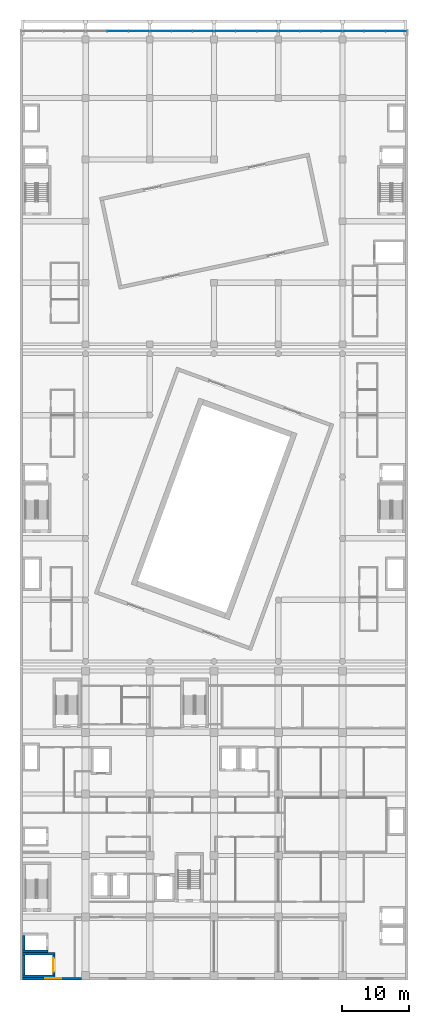
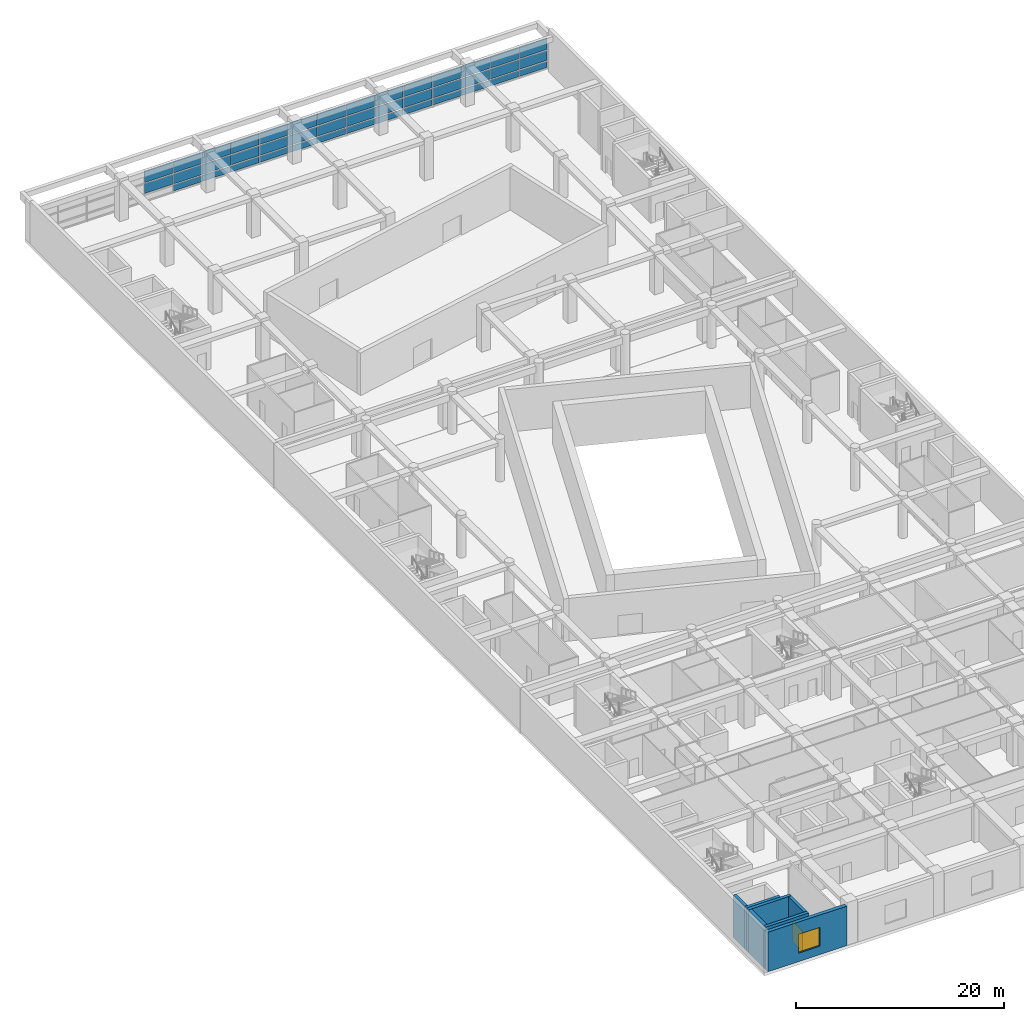
# One storey, part 8 of 31: 41 plates, 7 walls, 1 door, 1 window, 2 openings, 1 element without a shape of its own.
"""IFC4 building model written with IfcOpenShell, lengths in metres."""

from ifc_helpers import new_model, si_unit, direction, frame, frame_2d, origin, origin_2d, place, context, subcontext, project, spatial, rectangle, extrude, material, layer, layer_set, layer_usage, type_object, element, fill, aggregate, save


model = new_model("IFC4")

# Units and contexts
model_context = context("Model", 3, precision=1e-05, world=origin(), true_north=direction((0.0, 1.0)))
body_context = subcontext(model_context, "Body", "Model", "MODEL_VIEW")
ifc_project = project(units=[si_unit("LENGTHUNIT", "METRE"), si_unit("AREAUNIT", "SQUARE_METRE"), si_unit("VOLUMEUNIT", "CUBIC_METRE"), si_unit("PLANEANGLEUNIT", "RADIAN"), si_unit("MASSUNIT", "GRAM", prefix="KILO")], contexts=[model_context])

# Site, building, storey
site_placement = place(None, origin())
site = spatial("IfcSite", under=ifc_project, at=site_placement, CompositionType="ELEMENT")
building_placement = place(site_placement, origin())
building = spatial("IfcBuilding", under=site, at=building_placement, Name="Nzadi Deep Aquarium and Research Tower", CompositionType="ELEMENT")
storey_placement = place(building_placement, frame((0.0, 0.0, 21.699951171875)))
storey = spatial("IfcBuildingStorey", under=building, at=storey_placement, Name="L03", CompositionType="ELEMENT", Elevation=21.699951171875)

# Curtain wall, plates
ifc_material_1 = material(Name="Aluminium unitised frame tall span", Category="aluminium")
ifc_layer_1 = layer(ifc_material_1, 0.35009765625)
ifc_layer_set_1 = layer_set([ifc_layer_1], Name="Aluminium unitised frame tall span")
curtain_wall_type = type_object("IfcCurtainWallType", Name="Curtain wall Podium 350", PredefinedType="NOTDEFINED", material=ifc_layer_set_1)
curtain_wall_placement = place(storey_placement, origin())
curtain_wall = element("IfcCurtainWall", 1, at=curtain_wall_placement, inside=storey, type_object=curtain_wall_type, Name="North cascade curtain wall L03", PredefinedType="NOTDEFINED")
ifc_material_2 = material(Name="Glass, clear low-iron", Category="glass")
ifc_layer_2 = layer(ifc_material_2, 0.0400390625)
ifc_layer_set_2 = layer_set([ifc_layer_2], Name="Glass, clear low-iron")
plate_type_1 = type_object("IfcPlateType", Name="Glazing panel 40 Podium", PredefinedType="CURTAIN_PANEL", material=ifc_layer_set_2)
plate_1_placement = place(storey_placement, frame((52.800048828125, 141.574951171875, 0.97021484375), z_axis=(0.0, 0.0, 1.0), x_axis=(1.0, 0.0, 0.0)))
plate_1 = element("IfcPlate", 2, at=plate_1_placement, type_object=plate_type_1, Name="CW255 panel 17.2", PredefinedType="CURTAIN_PANEL", context=body_context, shape_type="SweptSolid", body=[
    extrude(rectangle(XDim=3.139892578125, YDim=0.0400390625, at=origin_2d()), origin(), (0.0, 0.0, 1.0), 1.135009765625),
])
plate_2_placement = place(storey_placement, frame((52.800048828125, 141.574951171875, 2.2451171875), z_axis=(0.0, 0.0, 1.0), x_axis=(1.0, 0.0, 0.0)))
plate_2 = element("IfcPlate", 3, at=plate_2_placement, type_object=plate_type_1, Name="CW255 panel 17.3", PredefinedType="CURTAIN_PANEL", context=body_context, shape_type="SweptSolid", body=[
    extrude(rectangle(XDim=3.139892578125, YDim=0.0400390625, at=origin_2d()), origin(), (0.0, 0.0, 1.0), 1.364990234375),
])
plate_3_placement = place(storey_placement, frame((55.985107421875, 141.574951171875, 0.97021484375), z_axis=(0.0, 0.0, 1.0), x_axis=(1.0, 0.0, 0.0)))
plate_3 = element("IfcPlate", 4, at=plate_3_placement, type_object=plate_type_1, Name="CW255 panel 18.2", PredefinedType="CURTAIN_PANEL", context=body_context, shape_type="SweptSolid", body=[
    extrude(rectangle(XDim=3.110107421875, YDim=0.0400390625, at=origin_2d()), origin(), (0.0, 0.0, 1.0), 1.135009765625),
])
plate_4_placement = place(storey_placement, frame((55.985107421875, 141.574951171875, 2.2451171875), z_axis=(0.0, 0.0, 1.0), x_axis=(1.0, 0.0, 0.0)))
plate_4 = element("IfcPlate", 5, at=plate_4_placement, type_object=plate_type_1, Name="CW255 panel 18.3", PredefinedType="CURTAIN_PANEL", context=body_context, shape_type="SweptSolid", body=[
    extrude(rectangle(XDim=3.110107421875, YDim=0.0400390625, at=origin_2d()), origin(), (0.0, 0.0, 1.0), 1.364990234375),
])
ifc_material_3 = material(Name="Glass, deep ocean tint", Category="glass")
ifc_layer_3 = layer(ifc_material_3, 0.0400390625)
ifc_layer_set_3 = layer_set([ifc_layer_3], Name="Glass, deep ocean tint")
plate_type_2 = type_object("IfcPlateType", Name="Glazing panel 40 Podium water-tinted", PredefinedType="CURTAIN_PANEL", material=ifc_layer_set_3)
plate_5_placement = place(storey_placement, frame((14.39990234375, 141.574951171875, 0.97021484375), z_axis=(0.0, 0.0, 1.0), x_axis=(1.0, 0.0, 0.0)))
plate_5 = element("IfcPlate", 6, at=plate_5_placement, type_object=plate_type_2, Name="CW255 panel 5.2", PredefinedType="CURTAIN_PANEL", context=body_context, shape_type="SweptSolid", body=[
    extrude(rectangle(XDim=3.139892578125, YDim=0.0400390625, at=origin_2d()), origin(), (0.0, 0.0, 1.0), 1.135009765625),
])
plate_6_placement = place(storey_placement, frame((14.39990234375, 141.574951171875, 2.2451171875), z_axis=(0.0, 0.0, 1.0), x_axis=(1.0, 0.0, 0.0)))
plate_6 = element("IfcPlate", 7, at=plate_6_placement, type_object=plate_type_2, Name="CW255 panel 5.3", PredefinedType="CURTAIN_PANEL", context=body_context, shape_type="SweptSolid", body=[
    extrude(rectangle(XDim=3.139892578125, YDim=0.0400390625, at=origin_2d()), origin(), (0.0, 0.0, 1.0), 1.364990234375),
])
plate_7_placement = place(storey_placement, frame((17.60009765625, 141.574951171875, 0.97021484375), z_axis=(0.0, 0.0, 1.0), x_axis=(1.0, 0.0, 0.0)))
plate_7 = element("IfcPlate", 8, at=plate_7_placement, type_object=plate_type_2, Name="CW255 panel 6.2", PredefinedType="CURTAIN_PANEL", context=body_context, shape_type="SweptSolid", body=[
    extrude(rectangle(XDim=3.139892578125, YDim=0.0400390625, at=origin_2d()), origin(), (0.0, 0.0, 1.0), 1.135009765625),
])
plate_8_placement = place(storey_placement, frame((17.60009765625, 141.574951171875, 2.2451171875), z_axis=(0.0, 0.0, 1.0), x_axis=(1.0, 0.0, 0.0)))
plate_8 = element("IfcPlate", 9, at=plate_8_placement, type_object=plate_type_2, Name="CW255 panel 6.3", PredefinedType="CURTAIN_PANEL", context=body_context, shape_type="SweptSolid", body=[
    extrude(rectangle(XDim=3.139892578125, YDim=0.0400390625, at=origin_2d()), origin(), (0.0, 0.0, 1.0), 1.364990234375),
])
plate_9_placement = place(storey_placement, frame((20.800048828125, 141.574951171875, 0.97021484375), z_axis=(0.0, 0.0, 1.0), x_axis=(1.0, 0.0, 0.0)))
plate_9 = element("IfcPlate", 10, at=plate_9_placement, type_object=plate_type_2, Name="CW255 panel 7.2", PredefinedType="CURTAIN_PANEL", context=body_context, shape_type="SweptSolid", body=[
    extrude(rectangle(XDim=3.139892578125, YDim=0.0400390625, at=origin_2d()), origin(), (0.0, 0.0, 1.0), 1.135009765625),
])
plate_10_placement = place(storey_placement, frame((20.800048828125, 141.574951171875, 2.2451171875), z_axis=(0.0, 0.0, 1.0), x_axis=(1.0, 0.0, 0.0)))
plate_10 = element("IfcPlate", 11, at=plate_10_placement, type_object=plate_type_2, Name="CW255 panel 7.3", PredefinedType="CURTAIN_PANEL", context=body_context, shape_type="SweptSolid", body=[
    extrude(rectangle(XDim=3.139892578125, YDim=0.0400390625, at=origin_2d()), origin(), (0.0, 0.0, 1.0), 1.364990234375),
])
plate_11_placement = place(storey_placement, frame((24.0, 141.574951171875, 0.97021484375), z_axis=(0.0, 0.0, 1.0), x_axis=(1.0, 0.0, 0.0)))
plate_11 = element("IfcPlate", 12, at=plate_11_placement, type_object=plate_type_2, Name="CW255 panel 8.2", PredefinedType="CURTAIN_PANEL", context=body_context, shape_type="SweptSolid", body=[
    extrude(rectangle(XDim=3.139892578125, YDim=0.0400390625, at=origin_2d()), origin(), (0.0, 0.0, 1.0), 1.135009765625),
])
plate_12_placement = place(storey_placement, frame((24.0, 141.574951171875, 2.2451171875), z_axis=(0.0, 0.0, 1.0), x_axis=(1.0, 0.0, 0.0)))
plate_12 = element("IfcPlate", 13, at=plate_12_placement, type_object=plate_type_2, Name="CW255 panel 8.3", PredefinedType="CURTAIN_PANEL", context=body_context, shape_type="SweptSolid", body=[
    extrude(rectangle(XDim=3.139892578125, YDim=0.0400390625, at=origin_2d()), origin(), (0.0, 0.0, 1.0), 1.364990234375),
])
plate_13_placement = place(storey_placement, frame((27.199951171875, 141.574951171875, 0.97021484375), z_axis=(0.0, 0.0, 1.0), x_axis=(1.0, 0.0, 0.0)))
plate_13 = element("IfcPlate", 14, at=plate_13_placement, type_object=plate_type_2, Name="CW255 panel 9.2", PredefinedType="CURTAIN_PANEL", context=body_context, shape_type="SweptSolid", body=[
    extrude(rectangle(XDim=3.139892578125, YDim=0.0400390625, at=origin_2d()), origin(), (0.0, 0.0, 1.0), 1.135009765625),
])
plate_14_placement = place(storey_placement, frame((27.199951171875, 141.574951171875, 2.2451171875), z_axis=(0.0, 0.0, 1.0), x_axis=(1.0, 0.0, 0.0)))
plate_14 = element("IfcPlate", 15, at=plate_14_placement, type_object=plate_type_2, Name="CW255 panel 9.3", PredefinedType="CURTAIN_PANEL", context=body_context, shape_type="SweptSolid", body=[
    extrude(rectangle(XDim=3.139892578125, YDim=0.0400390625, at=origin_2d()), origin(), (0.0, 0.0, 1.0), 1.364990234375),
])
plate_15_placement = place(storey_placement, frame((30.39990234375, 141.574951171875, 0.97021484375), z_axis=(0.0, 0.0, 1.0), x_axis=(1.0, 0.0, 0.0)))
plate_15 = element("IfcPlate", 16, at=plate_15_placement, type_object=plate_type_2, Name="CW255 panel 10.2", PredefinedType="CURTAIN_PANEL", context=body_context, shape_type="SweptSolid", body=[
    extrude(rectangle(XDim=3.139892578125, YDim=0.0400390625, at=origin_2d()), origin(), (0.0, 0.0, 1.0), 1.135009765625),
])
plate_16_placement = place(storey_placement, frame((30.39990234375, 141.574951171875, 2.2451171875), z_axis=(0.0, 0.0, 1.0), x_axis=(1.0, 0.0, 0.0)))
plate_16 = element("IfcPlate", 17, at=plate_16_placement, type_object=plate_type_2, Name="CW255 panel 10.3", PredefinedType="CURTAIN_PANEL", context=body_context, shape_type="SweptSolid", body=[
    extrude(rectangle(XDim=3.139892578125, YDim=0.0400390625, at=origin_2d()), origin(), (0.0, 0.0, 1.0), 1.364990234375),
])
plate_17_placement = place(storey_placement, frame((33.60009765625, 141.574951171875, 0.97021484375), z_axis=(0.0, 0.0, 1.0), x_axis=(1.0, 0.0, 0.0)))
plate_17 = element("IfcPlate", 18, at=plate_17_placement, type_object=plate_type_2, Name="CW255 panel 11.2", PredefinedType="CURTAIN_PANEL", context=body_context, shape_type="SweptSolid", body=[
    extrude(rectangle(XDim=3.139892578125, YDim=0.0400390625, at=origin_2d()), origin(), (0.0, 0.0, 1.0), 1.135009765625),
])
plate_18_placement = place(storey_placement, frame((33.60009765625, 141.574951171875, 2.2451171875), z_axis=(0.0, 0.0, 1.0), x_axis=(1.0, 0.0, 0.0)))
plate_18 = element("IfcPlate", 19, at=plate_18_placement, type_object=plate_type_2, Name="CW255 panel 11.3", PredefinedType="CURTAIN_PANEL", context=body_context, shape_type="SweptSolid", body=[
    extrude(rectangle(XDim=3.139892578125, YDim=0.0400390625, at=origin_2d()), origin(), (0.0, 0.0, 1.0), 1.364990234375),
])
plate_19_placement = place(storey_placement, frame((36.800048828125, 141.574951171875, 0.97021484375), z_axis=(0.0, 0.0, 1.0), x_axis=(1.0, 0.0, 0.0)))
plate_19 = element("IfcPlate", 20, at=plate_19_placement, type_object=plate_type_2, Name="CW255 panel 12.2", PredefinedType="CURTAIN_PANEL", context=body_context, shape_type="SweptSolid", body=[
    extrude(rectangle(XDim=3.139892578125, YDim=0.0400390625, at=origin_2d()), origin(), (0.0, 0.0, 1.0), 1.135009765625),
])
plate_20_placement = place(storey_placement, frame((36.800048828125, 141.574951171875, 2.2451171875), z_axis=(0.0, 0.0, 1.0), x_axis=(1.0, 0.0, 0.0)))
plate_20 = element("IfcPlate", 21, at=plate_20_placement, type_object=plate_type_2, Name="CW255 panel 12.3", PredefinedType="CURTAIN_PANEL", context=body_context, shape_type="SweptSolid", body=[
    extrude(rectangle(XDim=3.139892578125, YDim=0.0400390625, at=origin_2d()), origin(), (0.0, 0.0, 1.0), 1.364990234375),
])
plate_21_placement = place(storey_placement, frame((40.0, 141.574951171875, 0.97021484375), z_axis=(0.0, 0.0, 1.0), x_axis=(1.0, 0.0, 0.0)))
plate_21 = element("IfcPlate", 22, at=plate_21_placement, type_object=plate_type_2, Name="CW255 panel 13.2", PredefinedType="CURTAIN_PANEL", context=body_context, shape_type="SweptSolid", body=[
    extrude(rectangle(XDim=3.139892578125, YDim=0.0400390625, at=origin_2d()), origin(), (0.0, 0.0, 1.0), 1.135009765625),
])
plate_22_placement = place(storey_placement, frame((40.0, 141.574951171875, 2.2451171875), z_axis=(0.0, 0.0, 1.0), x_axis=(1.0, 0.0, 0.0)))
plate_22 = element("IfcPlate", 23, at=plate_22_placement, type_object=plate_type_2, Name="CW255 panel 13.3", PredefinedType="CURTAIN_PANEL", context=body_context, shape_type="SweptSolid", body=[
    extrude(rectangle(XDim=3.139892578125, YDim=0.0400390625, at=origin_2d()), origin(), (0.0, 0.0, 1.0), 1.364990234375),
])
plate_23_placement = place(storey_placement, frame((43.199951171875, 141.574951171875, 0.97021484375), z_axis=(0.0, 0.0, 1.0), x_axis=(1.0, 0.0, 0.0)))
plate_23 = element("IfcPlate", 24, at=plate_23_placement, type_object=plate_type_2, Name="CW255 panel 14.2", PredefinedType="CURTAIN_PANEL", context=body_context, shape_type="SweptSolid", body=[
    extrude(rectangle(XDim=3.139892578125, YDim=0.0400390625, at=origin_2d()), origin(), (0.0, 0.0, 1.0), 1.135009765625),
])
plate_24_placement = place(storey_placement, frame((43.199951171875, 141.574951171875, 2.2451171875), z_axis=(0.0, 0.0, 1.0), x_axis=(1.0, 0.0, 0.0)))
plate_24 = element("IfcPlate", 25, at=plate_24_placement, type_object=plate_type_2, Name="CW255 panel 14.3", PredefinedType="CURTAIN_PANEL", context=body_context, shape_type="SweptSolid", body=[
    extrude(rectangle(XDim=3.139892578125, YDim=0.0400390625, at=origin_2d()), origin(), (0.0, 0.0, 1.0), 1.364990234375),
])
plate_25_placement = place(storey_placement, frame((46.39990234375, 141.574951171875, 0.97021484375), z_axis=(0.0, 0.0, 1.0), x_axis=(1.0, 0.0, 0.0)))
plate_25 = element("IfcPlate", 26, at=plate_25_placement, type_object=plate_type_2, Name="CW255 panel 15.2", PredefinedType="CURTAIN_PANEL", context=body_context, shape_type="SweptSolid", body=[
    extrude(rectangle(XDim=3.139892578125, YDim=0.0400390625, at=origin_2d()), origin(), (0.0, 0.0, 1.0), 1.135009765625),
])
plate_26_placement = place(storey_placement, frame((46.39990234375, 141.574951171875, 2.2451171875), z_axis=(0.0, 0.0, 1.0), x_axis=(1.0, 0.0, 0.0)))
plate_26 = element("IfcPlate", 27, at=plate_26_placement, type_object=plate_type_2, Name="CW255 panel 15.3", PredefinedType="CURTAIN_PANEL", context=body_context, shape_type="SweptSolid", body=[
    extrude(rectangle(XDim=3.139892578125, YDim=0.0400390625, at=origin_2d()), origin(), (0.0, 0.0, 1.0), 1.364990234375),
])
plate_27_placement = place(storey_placement, frame((49.60009765625, 141.574951171875, 0.97021484375), z_axis=(0.0, 0.0, 1.0), x_axis=(1.0, 0.0, 0.0)))
plate_27 = element("IfcPlate", 28, at=plate_27_placement, type_object=plate_type_2, Name="CW255 panel 16.2", PredefinedType="CURTAIN_PANEL", context=body_context, shape_type="SweptSolid", body=[
    extrude(rectangle(XDim=3.139892578125, YDim=0.0400390625, at=origin_2d()), origin(), (0.0, 0.0, 1.0), 1.135009765625),
])
plate_28_placement = place(storey_placement, frame((49.60009765625, 141.574951171875, 2.2451171875), z_axis=(0.0, 0.0, 1.0), x_axis=(1.0, 0.0, 0.0)))
plate_28 = element("IfcPlate", 29, at=plate_28_placement, type_object=plate_type_2, Name="CW255 panel 16.3", PredefinedType="CURTAIN_PANEL", context=body_context, shape_type="SweptSolid", body=[
    extrude(rectangle(XDim=3.139892578125, YDim=0.0400390625, at=origin_2d()), origin(), (0.0, 0.0, 1.0), 1.364990234375),
])
ifc_material_4 = material(Name="Glass spandrel, enamelled", Category="glass")
ifc_layer_4 = layer(ifc_material_4, 0.0400390625)
ifc_layer_set_4 = layer_set([ifc_layer_4], Name="Glass spandrel, enamelled")
plate_type_3 = type_object("IfcPlateType", Name="Spandrel panel 40 Podium", PredefinedType="CURTAIN_PANEL", material=ifc_layer_set_4)
plate_29_placement = place(storey_placement, frame((17.60009765625, 141.574951171875, 0.14013671875), z_axis=(0.0, 0.0, 1.0), x_axis=(1.0, 0.0, 0.0)))
plate_29 = element("IfcPlate", 30, at=plate_29_placement, type_object=plate_type_3, Name="CW255 panel 6.1", PredefinedType="CURTAIN_PANEL", context=body_context, shape_type="SweptSolid", body=[
    extrude(rectangle(XDim=3.139892578125, YDim=0.0400390625, at=origin_2d()), origin(), (0.0, 0.0, 1.0), 0.68994140625),
])
plate_30_placement = place(storey_placement, frame((20.800048828125, 141.574951171875, 0.14013671875), z_axis=(0.0, 0.0, 1.0), x_axis=(1.0, 0.0, 0.0)))
plate_30 = element("IfcPlate", 31, at=plate_30_placement, type_object=plate_type_3, Name="CW255 panel 7.1", PredefinedType="CURTAIN_PANEL", context=body_context, shape_type="SweptSolid", body=[
    extrude(rectangle(XDim=3.139892578125, YDim=0.0400390625, at=origin_2d()), origin(), (0.0, 0.0, 1.0), 0.68994140625),
])
plate_31_placement = place(storey_placement, frame((24.0, 141.574951171875, 0.14013671875), z_axis=(0.0, 0.0, 1.0), x_axis=(1.0, 0.0, 0.0)))
plate_31 = element("IfcPlate", 32, at=plate_31_placement, type_object=plate_type_3, Name="CW255 panel 8.1", PredefinedType="CURTAIN_PANEL", context=body_context, shape_type="SweptSolid", body=[
    extrude(rectangle(XDim=3.139892578125, YDim=0.0400390625, at=origin_2d()), origin(), (0.0, 0.0, 1.0), 0.68994140625),
])
plate_32_placement = place(storey_placement, frame((27.199951171875, 141.574951171875, 0.14013671875), z_axis=(0.0, 0.0, 1.0), x_axis=(1.0, 0.0, 0.0)))
plate_32 = element("IfcPlate", 33, at=plate_32_placement, type_object=plate_type_3, Name="CW255 panel 9.1", PredefinedType="CURTAIN_PANEL", context=body_context, shape_type="SweptSolid", body=[
    extrude(rectangle(XDim=3.139892578125, YDim=0.0400390625, at=origin_2d()), origin(), (0.0, 0.0, 1.0), 0.68994140625),
])
plate_33_placement = place(storey_placement, frame((30.39990234375, 141.574951171875, 0.14013671875), z_axis=(0.0, 0.0, 1.0), x_axis=(1.0, 0.0, 0.0)))
plate_33 = element("IfcPlate", 34, at=plate_33_placement, type_object=plate_type_3, Name="CW255 panel 10.1", PredefinedType="CURTAIN_PANEL", context=body_context, shape_type="SweptSolid", body=[
    extrude(rectangle(XDim=3.139892578125, YDim=0.0400390625, at=origin_2d()), origin(), (0.0, 0.0, 1.0), 0.68994140625),
])
plate_34_placement = place(storey_placement, frame((33.60009765625, 141.574951171875, 0.14013671875), z_axis=(0.0, 0.0, 1.0), x_axis=(1.0, 0.0, 0.0)))
plate_34 = element("IfcPlate", 35, at=plate_34_placement, type_object=plate_type_3, Name="CW255 panel 11.1", PredefinedType="CURTAIN_PANEL", context=body_context, shape_type="SweptSolid", body=[
    extrude(rectangle(XDim=3.139892578125, YDim=0.0400390625, at=origin_2d()), origin(), (0.0, 0.0, 1.0), 0.68994140625),
])
plate_35_placement = place(storey_placement, frame((36.800048828125, 141.574951171875, 0.14013671875), z_axis=(0.0, 0.0, 1.0), x_axis=(1.0, 0.0, 0.0)))
plate_35 = element("IfcPlate", 36, at=plate_35_placement, type_object=plate_type_3, Name="CW255 panel 12.1", PredefinedType="CURTAIN_PANEL", context=body_context, shape_type="SweptSolid", body=[
    extrude(rectangle(XDim=3.139892578125, YDim=0.0400390625, at=origin_2d()), origin(), (0.0, 0.0, 1.0), 0.68994140625),
])
plate_36_placement = place(storey_placement, frame((40.0, 141.574951171875, 0.14013671875), z_axis=(0.0, 0.0, 1.0), x_axis=(1.0, 0.0, 0.0)))
plate_36 = element("IfcPlate", 37, at=plate_36_placement, type_object=plate_type_3, Name="CW255 panel 13.1", PredefinedType="CURTAIN_PANEL", context=body_context, shape_type="SweptSolid", body=[
    extrude(rectangle(XDim=3.139892578125, YDim=0.0400390625, at=origin_2d()), origin(), (0.0, 0.0, 1.0), 0.68994140625),
])
plate_37_placement = place(storey_placement, frame((43.199951171875, 141.574951171875, 0.14013671875), z_axis=(0.0, 0.0, 1.0), x_axis=(1.0, 0.0, 0.0)))
plate_37 = element("IfcPlate", 38, at=plate_37_placement, type_object=plate_type_3, Name="CW255 panel 14.1", PredefinedType="CURTAIN_PANEL", context=body_context, shape_type="SweptSolid", body=[
    extrude(rectangle(XDim=3.139892578125, YDim=0.0400390625, at=origin_2d()), origin(), (0.0, 0.0, 1.0), 0.68994140625),
])
plate_38_placement = place(storey_placement, frame((46.39990234375, 141.574951171875, 0.14013671875), z_axis=(0.0, 0.0, 1.0), x_axis=(1.0, 0.0, 0.0)))
plate_38 = element("IfcPlate", 39, at=plate_38_placement, type_object=plate_type_3, Name="CW255 panel 15.1", PredefinedType="CURTAIN_PANEL", context=body_context, shape_type="SweptSolid", body=[
    extrude(rectangle(XDim=3.139892578125, YDim=0.0400390625, at=origin_2d()), origin(), (0.0, 0.0, 1.0), 0.68994140625),
])
plate_39_placement = place(storey_placement, frame((49.60009765625, 141.574951171875, 0.14013671875), z_axis=(0.0, 0.0, 1.0), x_axis=(1.0, 0.0, 0.0)))
plate_39 = element("IfcPlate", 40, at=plate_39_placement, type_object=plate_type_3, Name="CW255 panel 16.1", PredefinedType="CURTAIN_PANEL", context=body_context, shape_type="SweptSolid", body=[
    extrude(rectangle(XDim=3.139892578125, YDim=0.0400390625, at=origin_2d()), origin(), (0.0, 0.0, 1.0), 0.68994140625),
])
plate_40_placement = place(storey_placement, frame((52.800048828125, 141.574951171875, 0.14013671875), z_axis=(0.0, 0.0, 1.0), x_axis=(1.0, 0.0, 0.0)))
plate_40 = element("IfcPlate", 41, at=plate_40_placement, type_object=plate_type_3, Name="CW255 panel 17.1", PredefinedType="CURTAIN_PANEL", context=body_context, shape_type="SweptSolid", body=[
    extrude(rectangle(XDim=3.139892578125, YDim=0.0400390625, at=origin_2d()), origin(), (0.0, 0.0, 1.0), 0.68994140625),
])
plate_41_placement = place(storey_placement, frame((55.985107421875, 141.574951171875, 0.14013671875), z_axis=(0.0, 0.0, 1.0), x_axis=(1.0, 0.0, 0.0)))
plate_41 = element("IfcPlate", 42, at=plate_41_placement, type_object=plate_type_3, Name="CW255 panel 18.1", PredefinedType="CURTAIN_PANEL", context=body_context, shape_type="SweptSolid", body=[
    extrude(rectangle(XDim=3.110107421875, YDim=0.0400390625, at=origin_2d()), origin(), (0.0, 0.0, 1.0), 0.68994140625),
])
aggregate(curtain_wall, [plate_5, plate_6, plate_29, plate_7, plate_8, plate_30, plate_9, plate_10, plate_31, plate_11, plate_12, plate_32, plate_13, plate_14, plate_33, plate_15, plate_16, plate_34, plate_17, plate_18, plate_35, plate_19, plate_20, plate_36, plate_21, plate_22, plate_37, plate_23, plate_24, plate_38, plate_25, plate_26, plate_39, plate_27, plate_28, plate_40, plate_1, plate_2, plate_41, plate_3, plate_4])

# Walls
ifc_material_5 = material(Name="Concrete C35/45", Category="concrete")
ifc_layer_5 = layer(ifc_material_5, 0.35009765625)
ifc_layer_set_5 = layer_set([ifc_layer_5], Name="Concrete C35/45")
wall_type_1 = type_object("IfcWallType", Name="RC core wall 350", PredefinedType="SHEAR", material=ifc_layer_set_5)
for number, where, z_axis, x_axis, name in (
    (43, (0.199951171875, 0.375, 0.0), (0.0, 0.0, 1.0), (1.0, 0.0, 0.0), "W-CORE-GL1-L03-S"),
    (44, (0.199951171875, 3.72509765625, 0.0), (0.0, 0.0, 1.0), (1.0, 0.0, 0.0), "W-CORE-GL1-L03-N"),
):
    element("IfcWall", number, at=place(storey_placement, frame(where, z_axis=z_axis, x_axis=x_axis)), inside=storey, type_object=wall_type_1, Name=name, PredefinedType="SHEAR", context=body_context, shape_type="SweptSolid", body=[
        extrude(rectangle(XDim=4.800048828125, YDim=0.35009765625, at=frame_2d((2.39990234375, 0.0))), origin(), (0.0, 0.0, 1.0), 5.0),
    ])
wall_1_placement = place(storey_placement, frame((0.375, 0.550048828125, 0.0), z_axis=(0.0, 0.0, 1.0), x_axis=(0.0, 1.0, 0.0)))
element("IfcWall", 45, at=wall_1_placement, inside=storey, type_object=wall_type_1, Name="W-CORE-GL1-L03-W", PredefinedType="SHEAR", context=body_context, shape_type="SweptSolid", body=[
    extrude(rectangle(XDim=3.0, YDim=0.35009765625, at=frame_2d((1.5, 0.0))), origin(), (0.0, 0.0, 1.0), 5.0),
])

# Wall, opening, door
wall_2_placement = place(storey_placement, frame((4.824951171875, 0.550048828125, 0.0), z_axis=(0.0, 0.0, 1.0), x_axis=(0.0, 1.0, 0.0)))
wall_2 = element("IfcWall", 46, at=wall_2_placement, inside=storey, type_object=wall_type_1, Name="W-CORE-GL1-L03-E", PredefinedType="SHEAR", context=body_context, shape_type="SweptSolid", body=[
    extrude(rectangle(XDim=3.0, YDim=0.35009765625, at=frame_2d((1.5, 0.0))), origin(), (0.0, 0.0, 1.0), 5.0),
])
opening_1_placement = place(wall_2_placement, frame((0.5, 0.0, 0.0)))
opening_1 = element("IfcOpeningElement", 47, at=opening_1_placement, cuts=wall_2, Name="Opening LD-GL1-L03", PredefinedType="OPENING", context=body_context, shape_type="SweptSolid", body=[
    extrude(rectangle(XDim=2.0, YDim=2.39990234375, at=frame_2d((1.0, 1.199951171875))), frame((0.0, 0.18505859375, 0.0), z_axis=(0.0, -1.0, 0.0), x_axis=(1.0, 0.0, 0.0)), (0.0, 0.0, 1.0), 0.3701171875),
])
ifc_material_6 = material(Name="Stainless steel 1.4301", Category="steel")
door_type = type_object("IfcDoorType", Name="LANDING DOOR 2000x2400", OperationType="DOUBLE_DOOR_SLIDING", PredefinedType="DOOR", material=ifc_material_6)
door_placement = place(opening_1_placement, origin())
door = element("IfcDoor", 48, at=door_placement, inside=storey, type_object=door_type, Name="Landing door GL1 L03", OperationType="DOUBLE_DOOR_SLIDING", OverallHeight=2.39990234375, OverallWidth=2.0, PredefinedType="DOOR", context=body_context, shape_type="SweptSolid", body=[
    extrude(rectangle(XDim=2.0, YDim=2.39990234375, at=frame_2d((1.0, 1.199951171875))), frame((0.0, 0.02490234375, 0.0), z_axis=(0.0, -1.0, 0.0), x_axis=(1.0, 0.0, 0.0)), (0.0, 0.0, 1.0), 0.050048828125),
])
fill(opening_1, door)

# Walls
wall_3_placement = place(storey_placement, frame((0.199951171875, 4.074951171875, 0.0), z_axis=(0.0, 0.0, 1.0), x_axis=(1.0, 0.0, 0.0)))
element("IfcWall", 49, at=wall_3_placement, inside=storey, type_object=wall_type_1, Name="W-CORE-EL1-L03-S", PredefinedType="SHEAR", context=body_context, shape_type="SweptSolid", body=[
    extrude(rectangle(XDim=3.800048828125, YDim=0.35009765625, at=frame_2d((1.89990234375, 0.0))), origin(), (0.0, 0.0, 1.0), 5.0),
])
wall_4_placement = place(storey_placement, frame((0.375, 4.25, 0.0), z_axis=(0.0, 0.0, 1.0), x_axis=(0.0, 1.0, 0.0)))
element("IfcWall", 50, at=wall_4_placement, inside=storey, type_object=wall_type_1, Name="W-CORE-EL1-L03-W", PredefinedType="SHEAR", context=body_context, shape_type="SweptSolid", body=[
    extrude(rectangle(XDim=2.199951171875, YDim=0.35009765625, at=frame_2d((1.10009765625, 0.0))), origin(), (0.0, 0.0, 1.0), 5.0),
])

# Wall, opening, window
ifc_material_7 = material(Name="Concrete C35/45", Category="concrete")
ifc_layer_6 = layer(ifc_material_7, 0.25, Category="cladding")
ifc_material_8 = material(Name="Mineral wool insulation")
ifc_layer_7 = layer(ifc_material_8, 0.10009765625, Category="insulation")
ifc_material_9 = material(Name="Concrete block lining", Category="concrete")
ifc_layer_8 = layer(ifc_material_9, 0.050048828125, Category="lining")
ifc_layer_set_6 = layer_set([ifc_layer_6, ifc_layer_7, ifc_layer_8], Name="Concrete C35/45, Mineral wool insulation, Concrete block lining")
ifc_layer_usage = layer_usage(ifc_layer_set_6, "AXIS2", "POSITIVE", -0.199951171875)
wall_type_2 = type_object("IfcWallType", Name="South end wall board-formed concrete 400", PredefinedType="ELEMENTEDWALL", material=ifc_layer_set_6)
wall_5_placement = place(storey_placement, frame((0.199951171875, 0.0, 0.0), z_axis=(0.0, 0.0, 1.0), x_axis=(1.0, 0.0, 0.0)))
wall_5 = element("IfcWall", 51, at=wall_5_placement, inside=storey, type_object=wall_type_2, material=ifc_layer_usage, Name="South end wall L03", PredefinedType="ELEMENTEDWALL", context=body_context, shape_type="SweptSolid", body=[
    extrude(rectangle(XDim=8.800048828125, YDim=0.39990234375, at=frame_2d((4.39990234375, 0.0))), origin(), (0.0, 0.0, 1.0), 4.650146484375),
])
opening_2_placement = place(wall_5_placement, frame((3.39990234375, 0.0, 1.0)))
opening_2 = element("IfcOpeningElement", 52, at=opening_2_placement, cuts=wall_5, Name="Opening WN09", PredefinedType="OPENING", context=body_context, shape_type="SweptSolid", body=[
    extrude(rectangle(XDim=2.39990234375, YDim=2.199951171875, at=frame_2d((1.199951171875, 1.10009765625))), frame((0.0, 0.2099609375, 0.0), z_axis=(0.0, -1.0, 0.0), x_axis=(1.0, 0.0, 0.0)), (0.0, 0.0, 1.0), 0.419921875),
])
ifc_material_10 = material(Name="Aluminium framed glazing", Category="aluminium")
window_type = type_object("IfcWindowType", Name="Punched window 2400x2200 sill 1000", PartitioningType="SINGLE_PANEL", PredefinedType="WINDOW", material=ifc_material_10)
window_placement = place(opening_2_placement, origin())
window = element("IfcWindow", 53, at=window_placement, inside=storey, type_object=window_type, Name="Podium south face window L03", OverallHeight=2.199951171875, OverallWidth=2.39990234375, PartitioningType="SINGLE_PANEL", PredefinedType="WINDOW", context=body_context, shape_type="SweptSolid", body=[
    extrude(rectangle(XDim=2.39990234375, YDim=2.199951171875, at=frame_2d((1.199951171875, 1.10009765625))), frame((0.0, 0.030029296875, 0.0), z_axis=(0.0, -1.0, 0.0), x_axis=(1.0, 0.0, 0.0)), (0.0, 0.0, 1.0), 0.06005859375),
])
fill(opening_2, window)

save(model, "model.ifc")
